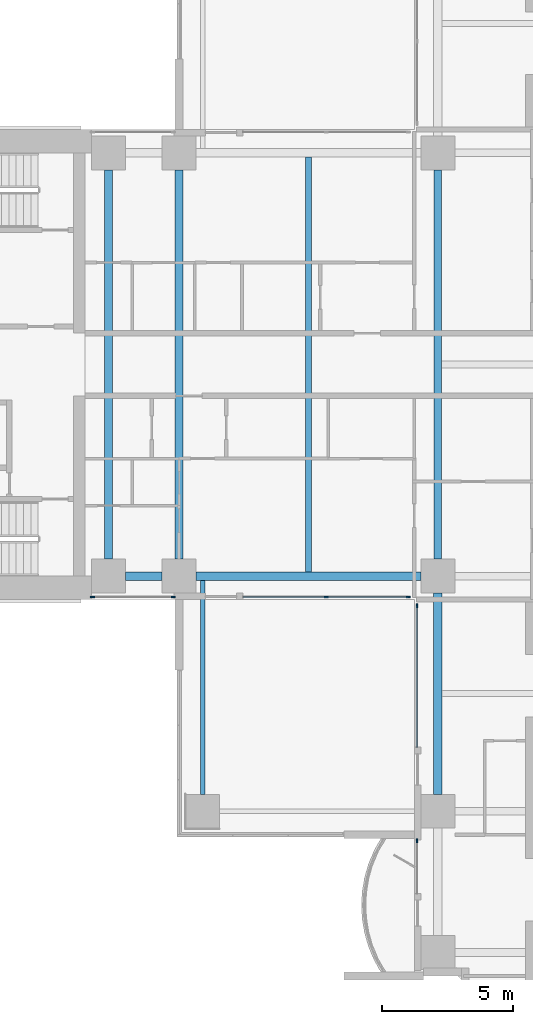
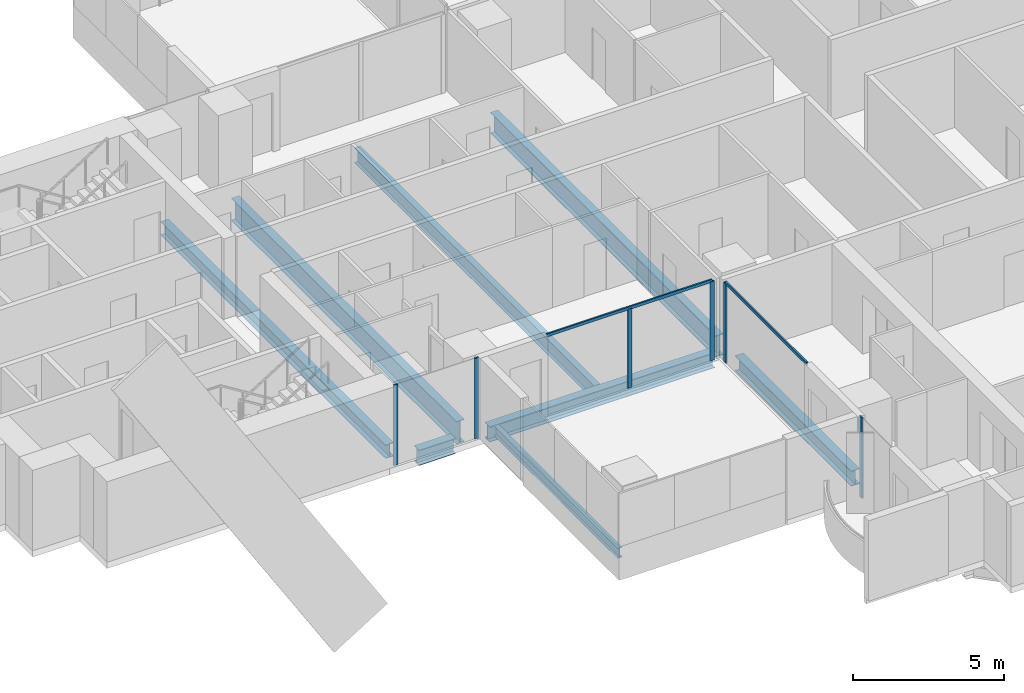
# One storey, part 2 of 23: 8 beams, 8 members, 4 elements without a shape of their own.
"""IFC4 building model written with IfcOpenShell, lengths in metres."""

from ifc_helpers import new_model, si_unit, direction, frame, origin, origin_2d, place, context, subcontext, project, spatial, rectangle, i_section, extrude, material, material_profile, profile_set, type_object, element, aggregate, save


model = new_model("IFC4")

# Units and contexts
model_context = context("Model", 3, precision=1e-05, world=origin(), true_north=direction((0.0, 1.0)))
body_context = subcontext(model_context, "Body", "Model", "MODEL_VIEW")
ifc_project = project(units=[si_unit("LENGTHUNIT", "METRE"), si_unit("AREAUNIT", "SQUARE_METRE"), si_unit("VOLUMEUNIT", "CUBIC_METRE"), si_unit("PLANEANGLEUNIT", "RADIAN"), si_unit("MASSUNIT", "GRAM", prefix="KILO")], contexts=[model_context])

# Site, building, storey
site_placement = place(None, origin())
site = spatial("IfcSite", under=ifc_project, at=site_placement, CompositionType="ELEMENT")
building_placement = place(site_placement, origin())
building = spatial("IfcBuilding", under=site, at=building_placement, Name="Perihelion Cross Residences", CompositionType="ELEMENT")
storey_placement = place(building_placement, frame((0.0, 0.0, 61.0)))
storey = spatial("IfcBuildingStorey", under=building, at=storey_placement, Name="L12", CompositionType="ELEMENT", Elevation=61.0)

# Curtain wall, members
ifc_material_1 = material(Name="Bronze anodised aluminium, tinted glazing", Category="aluminium")
curtain_wall_type = type_object("IfcCurtainWallType", Name="CW1", PredefinedType="NOTDEFINED", material=ifc_material_1)
curtain_wall_1_placement = place(storey_placement, origin())
curtain_wall_1 = element("IfcCurtainWall", 1, at=curtain_wall_1_placement, inside=storey, type_object=curtain_wall_type, Name="Curtain wall CW1 L12 west side south bay 1", PredefinedType="NOTDEFINED")
ifc_material_2 = material(Name="Bronze anodised aluminium", Category="aluminium")
ifc_material_profile_1 = material_profile(ifc_material_2, rectangle(XDim=0.06005859375, YDim=0.159912109375, at=origin_2d()), Name="CW1 mullion")
ifc_profile_set_1 = profile_set([ifc_material_profile_1], Name="Bronze anodised aluminium")
member_type_1 = type_object("IfcMemberType", Name="CW1 mullion", PredefinedType="MULLION", material=ifc_profile_set_1)
member_1_placement = place(storey_placement, frame((-21.320068359375, -8.89990234375, 0.0), z_axis=(0.0, 0.0, 1.0), x_axis=(0.0, 1.0, 0.0)))
member_1 = element("IfcMember", 2, at=member_1_placement, type_object=member_type_1, Name="CW1 mullion 1", PredefinedType="MULLION", context=body_context, shape_type="SweptSolid", body=[
    extrude(rectangle(XDim=0.06005859375, YDim=0.159912109375, at=origin_2d()), origin(), (0.0, 0.0, 1.0), 3.25),
])
member_2_placement = place(storey_placement, frame((-18.22998046875, -8.89990234375, 0.0), z_axis=(0.0, 0.0, 1.0), x_axis=(0.0, 1.0, 0.0)))
member_2 = element("IfcMember", 3, at=member_2_placement, type_object=member_type_1, Name="CW1 mullion 2", PredefinedType="MULLION", context=body_context, shape_type="SweptSolid", body=[
    extrude(rectangle(XDim=0.06005859375, YDim=0.159912109375, at=origin_2d()), origin(), (0.0, 0.0, 1.0), 3.25),
])
aggregate(curtain_wall_1, [member_1, member_2])

curtain_wall_2_placement = place(storey_placement, origin())
curtain_wall_2 = element("IfcCurtainWall", 4, at=curtain_wall_2_placement, inside=storey, type_object=curtain_wall_type, Name="Curtain wall CW1 L12 west side south bay 2", PredefinedType="NOTDEFINED")
member_3_placement = place(storey_placement, frame((-12.375, -8.89990234375, 0.0), z_axis=(0.0, 0.0, 1.0), x_axis=(0.0, 1.0, 0.0)))
member_3 = element("IfcMember", 5, at=member_3_placement, type_object=member_type_1, Name="CW1 mullion 2", PredefinedType="MULLION", context=body_context, shape_type="SweptSolid", body=[
    extrude(rectangle(XDim=0.06005859375, YDim=0.159912109375, at=origin_2d()), origin(), (0.0, 0.0, 1.0), 3.18994140625),
])
member_4_placement = place(storey_placement, frame((-9.22998046875, -8.89990234375, 0.0), z_axis=(0.0, 0.0, 1.0), x_axis=(0.0, 1.0, 0.0)))
member_4 = element("IfcMember", 6, at=member_4_placement, type_object=member_type_1, Name="CW1 mullion 3", PredefinedType="MULLION", context=body_context, shape_type="SweptSolid", body=[
    extrude(rectangle(XDim=0.06005859375, YDim=0.159912109375, at=origin_2d()), origin(), (0.0, 0.0, 1.0), 3.18994140625),
])

# Curtain wall, member
curtain_wall_3_placement = place(storey_placement, origin())
curtain_wall_3 = element("IfcCurtainWall", 7, at=curtain_wall_3_placement, inside=storey, type_object=curtain_wall_type, Name="Curtain wall CW1 L12 south side west bay 1", PredefinedType="NOTDEFINED")
member_5_placement = place(storey_placement, frame((-8.89990234375, -9.22998046875, 0.0), z_axis=(0.0, 0.0, 1.0), x_axis=(1.0, 0.0, 0.0)))
member_5 = element("IfcMember", 8, at=member_5_placement, type_object=member_type_1, Name="CW1 mullion 1", PredefinedType="MULLION", context=body_context, shape_type="SweptSolid", body=[
    extrude(rectangle(XDim=0.06005859375, YDim=0.159912109375, at=origin_2d()), origin(), (0.0, 0.0, 1.0), 3.18994140625),
])

curtain_wall_4_placement = place(storey_placement, origin())
curtain_wall_4 = element("IfcCurtainWall", 9, at=curtain_wall_4_placement, inside=storey, type_object=curtain_wall_type, Name="Curtain wall CW1 L12 south side west bay 2", PredefinedType="NOTDEFINED")
member_6_placement = place(storey_placement, frame((-8.89990234375, -18.22998046875, 0.0), z_axis=(0.0, 0.0, 1.0), x_axis=(1.0, 0.0, 0.0)))
member_6 = element("IfcMember", 10, at=member_6_placement, type_object=member_type_1, Name="CW1 mullion 1", PredefinedType="MULLION", context=body_context, shape_type="SweptSolid", body=[
    extrude(rectangle(XDim=0.06005859375, YDim=0.159912109375, at=origin_2d()), origin(), (0.0, 0.0, 1.0), 3.25),
])
aggregate(curtain_wall_4, [member_6])

# Member
ifc_material_3 = material(Name="Bronze anodised aluminium", Category="aluminium")
ifc_material_profile_2 = material_profile(ifc_material_3, rectangle(XDim=0.06005859375, YDim=0.1201171875, at=origin_2d()), Name="CW1 transom")
ifc_profile_set_2 = profile_set([ifc_material_profile_2], Name="Bronze anodised aluminium")
member_type_2 = type_object("IfcMemberType", Name="CW1 transom", PredefinedType="USERDEFINED", material=ifc_profile_set_2)
member_7_placement = place(storey_placement, frame((-15.550048828125, -8.89990234375, 3.219970703125), z_axis=(1.0, 0.0, 0.0), x_axis=(0.0, 1.0, 0.0)))
member_7 = element("IfcMember", 11, at=member_7_placement, type_object=member_type_2, Name="CW1 head transom", ObjectType="TRANSOM", PredefinedType="USERDEFINED", context=body_context, shape_type="SweptSolid", body=[
    extrude(rectangle(XDim=0.06005859375, YDim=0.1201171875, at=origin_2d()), origin(), (0.0, 0.0, 1.0), 6.320068359375),
])

aggregate(curtain_wall_2, [member_3, member_4, member_7])

member_8_placement = place(storey_placement, frame((-8.89990234375, -9.22998046875, 3.219970703125), z_axis=(0.0, -1.0, 0.0), x_axis=(1.0, 0.0, 0.0)))
member_8 = element("IfcMember", 12, at=member_8_placement, type_object=member_type_2, Name="CW1 head transom", ObjectType="TRANSOM", PredefinedType="USERDEFINED", context=body_context, shape_type="SweptSolid", body=[
    extrude(rectangle(XDim=0.06005859375, YDim=0.1201171875, at=origin_2d()), origin(), (0.0, 0.0, 1.0), 5.419921875),
])

aggregate(curtain_wall_3, [member_5, member_8])

# Beams
ifc_material_4 = material(Name="Steel S355", Category="steel")
ifc_material_profile_3 = material_profile(ifc_material_4, i_section(OverallWidth=0.177978515625, OverallDepth=0.406005859375, WebThickness=0.0078125, FlangeThickness=0.0126953125, at=origin_2d()), Name="W410x60")
ifc_profile_set_3 = profile_set([ifc_material_profile_3], Name="Steel S355")
beam_type_1 = type_object("IfcBeamType", Name="Core edge beam W410x60", PredefinedType="BEAM", material=ifc_profile_set_3)
beam_1_placement = place(storey_placement, frame((-17.10009765625, -8.262451171875, -0.452880859375), z_axis=(0.0, -1.0, 0.0), x_axis=(1.0, 0.0, 0.0)))
element("IfcBeam", 13, at=beam_1_placement, inside=storey, type_object=beam_type_1, Name="Core edge beam TB2 L12 corner no. 1", PredefinedType="BEAM", context=body_context, shape_type="SweptSolid", body=[
    extrude(i_section(OverallWidth=0.177978515625, OverallDepth=0.406005859375, WebThickness=0.0078125, FlangeThickness=0.0126953125, at=origin_2d()), origin(), (0.0, 0.0, 1.0), 8.1875),
])
ifc_material_5 = material(Name="Steel S355", Category="steel")
ifc_material_profile_4 = material_profile(ifc_material_5, i_section(OverallWidth=0.31201171875, OverallDepth=0.5439453125, WebThickness=0.0126953125, FlangeThickness=0.020263671875, at=origin_2d()), Name="W530x150")
ifc_profile_set_4 = profile_set([ifc_material_profile_4], Name="Steel S355")
beam_type_2 = type_object("IfcBeamType", Name="Core edge beam W530x150", PredefinedType="BEAM", material=ifc_profile_set_4)
beam_2_placement = place(storey_placement, frame((-20.699951171875, -7.449951171875, -0.52197265625), z_axis=(0.0, 1.0, 0.0), x_axis=(-1.0, 0.0, 0.0)))
element("IfcBeam", 14, at=beam_2_placement, inside=storey, type_object=beam_type_2, Name="Core edge beam TB4 L12 no. 1", PredefinedType="BEAM", context=body_context, shape_type="SweptSolid", body=[
    extrude(i_section(OverallWidth=0.31201171875, OverallDepth=0.5439453125, WebThickness=0.0126953125, FlangeThickness=0.020263671875, at=origin_2d()), origin(), (0.0, 0.0, 1.0), 14.89990234375),
])
ifc_material_6 = material(Name="Steel S355", Category="steel")
ifc_material_profile_5 = material_profile(ifc_material_6, i_section(OverallWidth=0.324951171875, OverallDepth=0.616943359375, WebThickness=0.013916015625, FlangeThickness=0.021484375, at=origin_2d()), Name="W610x174")
ifc_profile_set_5 = profile_set([ifc_material_profile_5], Name="Steel S355")
beam_type_3 = type_object("IfcBeamType", Name="Edge beam W610x174", PredefinedType="SPANDREL", material=ifc_profile_set_5)
beam_3_placement = place(storey_placement, frame((-20.050048828125, -8.10009765625, -0.55859375), z_axis=(1.0, 0.0, 0.0), x_axis=(0.0, 1.0, 0.0)))
element("IfcBeam", 15, at=beam_3_placement, inside=storey, type_object=beam_type_3, Name="Edge beam SB2 L12 no. 3", PredefinedType="SPANDREL", context=body_context, shape_type="SweptSolid", body=[
    extrude(i_section(OverallWidth=0.324951171875, OverallDepth=0.616943359375, WebThickness=0.013916015625, FlangeThickness=0.021484375, at=origin_2d()), origin(), (0.0, 0.0, 1.0), 1.400146484375),
])
beam_4_placement = place(storey_placement, frame((-17.35009765625, -8.10009765625, -0.55859375), z_axis=(1.0, 0.0, 0.0), x_axis=(0.0, 1.0, 0.0)))
element("IfcBeam", 16, at=beam_4_placement, inside=storey, type_object=beam_type_3, Name="Edge beam SB2 L12 no. 1", PredefinedType="SPANDREL", context=body_context, shape_type="SweptSolid", body=[
    extrude(i_section(OverallWidth=0.324951171875, OverallDepth=0.616943359375, WebThickness=0.013916015625, FlangeThickness=0.021484375, at=origin_2d()), origin(), (0.0, 0.0, 1.0), 8.60009765625),
])
beam_5_placement = place(storey_placement, frame((-8.10009765625, -8.75, -0.55859375), z_axis=(0.0, -1.0, 0.0), x_axis=(1.0, 0.0, 0.0)))
element("IfcBeam", 17, at=beam_5_placement, inside=storey, type_object=beam_type_3, Name="Edge beam SB2 L12 no. 6", PredefinedType="SPANDREL", context=body_context, shape_type="SweptSolid", body=[
    extrude(i_section(OverallWidth=0.324951171875, OverallDepth=0.616943359375, WebThickness=0.013916015625, FlangeThickness=0.021484375, at=origin_2d()), origin(), (0.0, 0.0, 1.0), 7.699951171875),
])
ifc_material_7 = material(Name="Steel S355", Category="steel")
ifc_material_profile_6 = material_profile(ifc_material_7, i_section(OverallWidth=0.304931640625, OverallDepth=0.904052734375, WebThickness=0.01513671875, FlangeThickness=0.02001953125, at=origin_2d()), Name="W920x201")
ifc_profile_set_6 = profile_set([ifc_material_profile_6], Name="Steel S355")
beam_type_4 = type_object("IfcBeamType", Name="Floor girder W920x201", PredefinedType="BEAM", material=ifc_profile_set_6)
beam_6_placement = place(storey_placement, frame((-18.0, -7.449951171875, -0.701904296875), z_axis=(0.0, 1.0, 0.0), x_axis=(-1.0, 0.0, 0.0)))
element("IfcBeam", 18, at=beam_6_placement, inside=storey, type_object=beam_type_4, Name="Girder G2 L12 no. 1", PredefinedType="BEAM", context=body_context, shape_type="SweptSolid", body=[
    extrude(i_section(OverallWidth=0.304931640625, OverallDepth=0.904052734375, WebThickness=0.01513671875, FlangeThickness=0.02001953125, at=origin_2d()), origin(), (0.0, 0.0, 1.0), 14.89990234375),
])
ifc_material_8 = material(Name="Steel S355", Category="steel")
ifc_material_profile_7 = material_profile(ifc_material_8, i_section(OverallWidth=0.22900390625, OverallDepth=0.612060546875, WebThickness=0.011962890625, FlangeThickness=0.01953125, at=origin_2d()), Name="W610x125")
ifc_profile_set_7 = profile_set([ifc_material_profile_7], Name="Steel S355")
beam_type_5 = type_object("IfcBeamType", Name="Floor joist W610x125", PredefinedType="JOIST", material=ifc_profile_set_7)
beam_7_placement = place(storey_placement, frame((-13.050048828125, -7.9375, -0.555908203125), z_axis=(0.0, 1.0, 0.0), x_axis=(-1.0, 0.0, 0.0)))
element("IfcBeam", 19, at=beam_7_placement, inside=storey, type_object=beam_type_5, Name="Joist J3 L12 no. 1", PredefinedType="JOIST", context=body_context, shape_type="SweptSolid", body=[
    extrude(i_section(OverallWidth=0.22900390625, OverallDepth=0.612060546875, WebThickness=0.011962890625, FlangeThickness=0.01953125, at=origin_2d()), origin(), (0.0, 0.0, 1.0), 15.875),
])
ifc_material_9 = material(Name="Steel S355", Category="steel")
ifc_material_profile_8 = material_profile(ifc_material_9, i_section(OverallWidth=0.2919921875, OverallDepth=0.85888671875, WebThickness=0.01708984375, FlangeThickness=0.031005859375, at=origin_2d()), Name="W840x251")
ifc_profile_set_8 = profile_set([ifc_material_profile_8], Name="Steel S355")
beam_type_6 = type_object("IfcBeamType", Name="Hub ring girder W840x251", PredefinedType="BEAM", material=ifc_profile_set_8)
beam_8_placement = place(storey_placement, frame((-8.10009765625, 7.449951171875, -0.679443359375), z_axis=(0.0, -1.0, 0.0), x_axis=(1.0, 0.0, 0.0)))
element("IfcBeam", 20, at=beam_8_placement, inside=storey, type_object=beam_type_6, Name="Hub ring girder RG2 L12 no. 2", PredefinedType="BEAM", context=body_context, shape_type="SweptSolid", body=[
    extrude(i_section(OverallWidth=0.2919921875, OverallDepth=0.85888671875, WebThickness=0.01708984375, FlangeThickness=0.031005859375, at=origin_2d()), origin(), (0.0, 0.0, 1.0), 14.89990234375),
])

save(model, "model.ifc")
